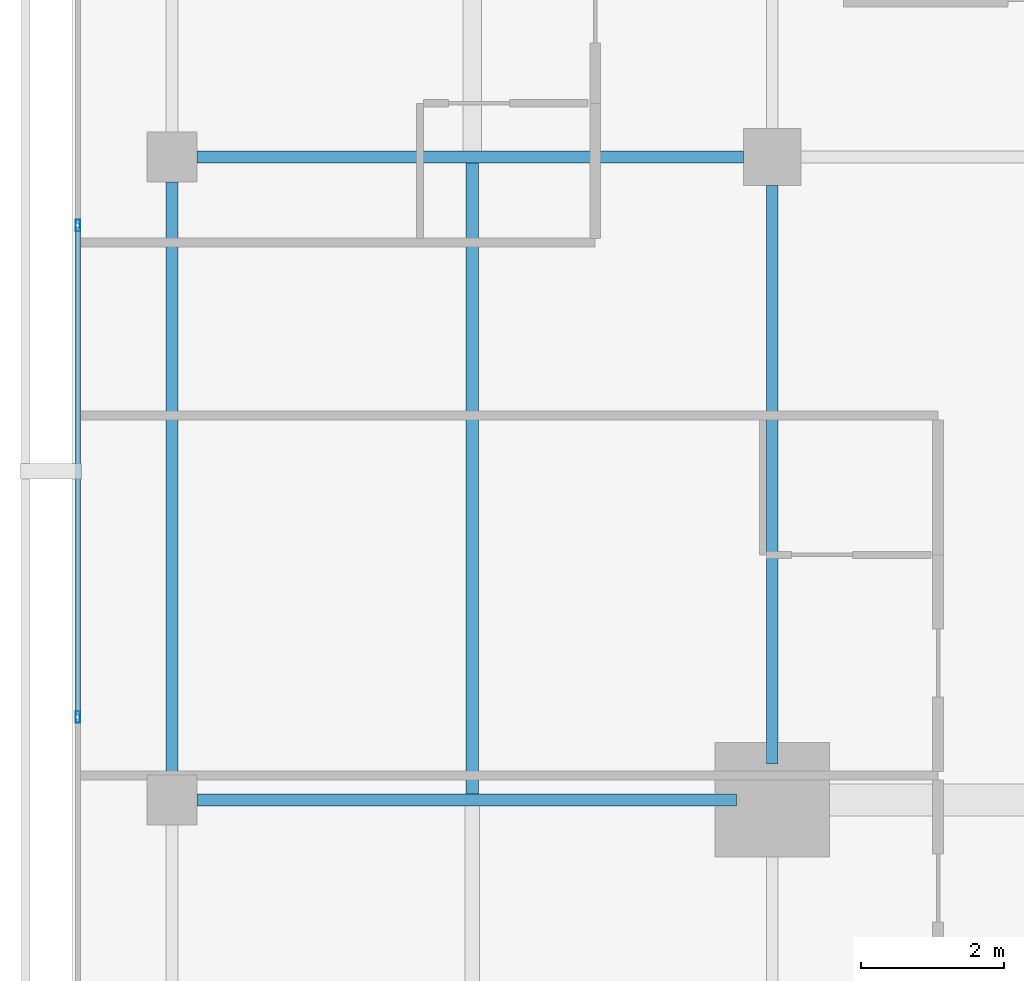
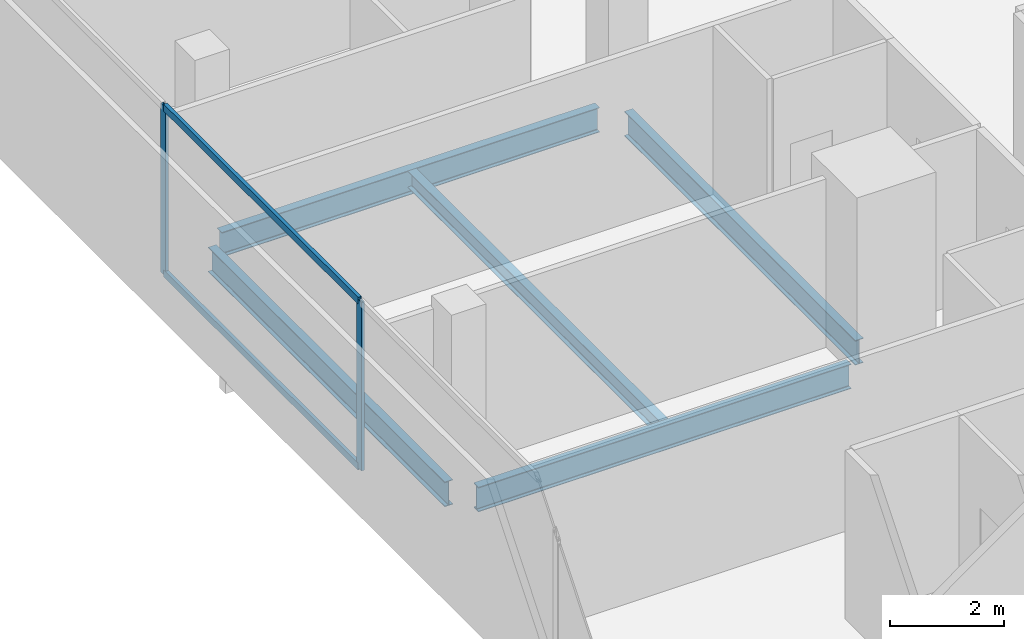
# One storey, part 8 of 26: 5 beams, 4 members, 1 element without a shape of its own.
"""IFC4 building model written with IfcOpenShell, lengths in metres."""

from ifc_helpers import new_model, si_unit, direction, frame, origin, origin_2d, place, context, subcontext, project, spatial, hollow_rectangle, i_section, extrude, material, layer, layer_set, material_profile, profile_set, type_object, element, aggregate, save


model = new_model("IFC4")

# Units and contexts
model_context = context("Model", 3, precision=1e-05, world=origin(), true_north=direction((0.0, 1.0)))
body_context = subcontext(model_context, "Body", "Model", "MODEL_VIEW")
ifc_project = project(units=[si_unit("LENGTHUNIT", "METRE"), si_unit("AREAUNIT", "SQUARE_METRE"), si_unit("VOLUMEUNIT", "CUBIC_METRE"), si_unit("PLANEANGLEUNIT", "RADIAN"), si_unit("MASSUNIT", "GRAM", prefix="KILO")], contexts=[model_context])

# Site, building, storey
site_placement = place(None, origin())
site = spatial("IfcSite", under=ifc_project, at=site_placement, CompositionType="ELEMENT")
building_placement = place(site_placement, origin())
building = spatial("IfcBuilding", under=site, at=building_placement, Name="Maruvema Waterfront Hotel and Observation Tower", CompositionType="ELEMENT")
storey_placement = place(building_placement, frame((0.0, 0.0, 285.60009765625)))
storey = spatial("IfcBuildingStorey", under=building, at=storey_placement, Name="L70", CompositionType="ELEMENT", Elevation=285.60009765625)

# Curtain wall, members
ifc_material_1 = material(Name="Anodised bronze aluminium and solar-control low-E IGU", Category="aluminium")
ifc_layer = layer(ifc_material_1, 0.159912109375, Name="Zone 3 Champagne Inner Thermal Curtain Wall System CW-04")
ifc_layer_set = layer_set([ifc_layer], Name="Anodised bronze aluminium and solar-control low-E IGU")
curtain_wall_type = type_object("IfcCurtainWallType", Name="Zone 3 Champagne Inner Thermal Curtain Wall System CW-04", PredefinedType="USERDEFINED", material=ifc_layer_set)
curtain_wall_placement = place(storey_placement, origin())
curtain_wall = element("IfcCurtainWall", 1, at=curtain_wall_placement, inside=storey, type_object=curtain_wall_type, Name="L70 Curtain Wall CW-L70-W", ObjectType="UNITISED CURTAIN WALL", PredefinedType="USERDEFINED")
ifc_material_2 = material(Name="Anodised architectural bronze aluminium", Category="aluminium")
ifc_material_profile_1 = material_profile(ifc_material_2, hollow_rectangle(XDim=0.070068359375, YDim=0.14990234375, WallThickness=0.00390625, at=origin_2d()), Name="ALU-T70x150")
ifc_profile_set_1 = profile_set([ifc_material_profile_1], Name="Anodised architectural bronze aluminium")
member_type_1 = type_object("IfcMemberType", Name="Curtain Wall Horizontal Transom ALU-T70x150", PredefinedType="USERDEFINED", material=ifc_profile_set_1)
member_1_placement = place(storey_placement, frame((15.47998046875, 35.010009765625, 0.02978515625), z_axis=(0.0, -1.0, 0.0), x_axis=(1.0, 0.0, 0.0)))
member_1 = element("IfcMember", 2, at=member_1_placement, type_object=member_type_1, Name="CW-04 transom 3.1", ObjectType="TRANSOM", PredefinedType="USERDEFINED", context=body_context, shape_type="SweptSolid", body=[
    extrude(hollow_rectangle(XDim=0.070068359375, YDim=0.14990234375, WallThickness=0.00390625, at=origin_2d()), origin(), (0.0, 0.0, 1.0), 6.820068359375),
])
member_2_placement = place(storey_placement, frame((15.47998046875, 35.010009765625, 3.579833984375), z_axis=(0.0, -1.0, 0.0), x_axis=(1.0, 0.0, 0.0)))
member_2 = element("IfcMember", 3, at=member_2_placement, type_object=member_type_1, Name="CW-04 transom 3.2", ObjectType="TRANSOM", PredefinedType="USERDEFINED", context=body_context, shape_type="SweptSolid", body=[
    extrude(hollow_rectangle(XDim=0.070068359375, YDim=0.14990234375, WallThickness=0.00390625, at=origin_2d()), origin(), (0.0, 0.0, 1.0), 6.820068359375),
])
ifc_material_3 = material(Name="Anodised architectural bronze aluminium", Category="aluminium")
ifc_material_profile_2 = material_profile(ifc_material_3, hollow_rectangle(XDim=0.06494140625, YDim=0.1650390625, WallThickness=0.00390625, at=origin_2d()), Name="ALU-M65x165")
ifc_profile_set_2 = profile_set([ifc_material_profile_2], Name="Anodised architectural bronze aluminium")
member_type_2 = type_object("IfcMemberType", Name="Curtain Wall Primary Mullion ALU-M65x165", PredefinedType="MULLION", material=ifc_profile_set_2)
member_3_placement = place(storey_placement, frame((15.47998046875, 35.0400390625, 0.0), z_axis=(0.0, 0.0, 1.0), x_axis=(1.0, 0.0, 0.0)))
member_3 = element("IfcMember", 4, at=member_3_placement, type_object=member_type_2, Name="CW-04 mullion 3", PredefinedType="MULLION", context=body_context, shape_type="SweptSolid", body=[
    extrude(hollow_rectangle(XDim=0.06494140625, YDim=0.1650390625, WallThickness=0.00390625, at=origin_2d()), origin(), (0.0, 0.0, 1.0), 3.60986328125),
])
member_4_placement = place(storey_placement, frame((15.47998046875, 28.159912109375, 0.0), z_axis=(0.0, 0.0, 1.0), x_axis=(1.0, 0.0, 0.0)))
member_4 = element("IfcMember", 5, at=member_4_placement, type_object=member_type_2, Name="CW-04 mullion 4", PredefinedType="MULLION", context=body_context, shape_type="SweptSolid", body=[
    extrude(hollow_rectangle(XDim=0.06494140625, YDim=0.1650390625, WallThickness=0.00390625, at=origin_2d()), origin(), (0.0, 0.0, 1.0), 3.60986328125),
])
aggregate(curtain_wall, [member_3, member_4, member_1, member_2])

# Beams
ifc_material_4 = material(Name="Steel ASTM A572 Grade 50", Category="steel")
ifc_material_profile_3 = material_profile(ifc_material_4, i_section(OverallWidth=0.166015625, OverallDepth=0.529052734375, WebThickness=0.009765625, FlangeThickness=0.013671875, FilletRadius=0.014892578125, at=origin_2d()), Name="W530x74.0")
ifc_profile_set_3 = profile_set([ifc_material_profile_3], Name="Steel ASTM A572 Grade 50")
beam_type_1 = type_object("IfcBeamType", Name="Primary Floor Girder W530x74.0", PredefinedType="BEAM", material=ifc_profile_set_3)
beam_1_placement = place(storey_placement, frame((17.14990234375, 27.0, -0.504638671875), z_axis=(1.0, 0.0, 0.0), x_axis=(0.0, 1.0, 0.0)))
element("IfcBeam", 6, at=beam_1_placement, inside=storey, type_object=beam_type_1, Name="L70 Floor Girder EW-09", PredefinedType="BEAM", context=body_context, shape_type="SweptSolid", body=[
    extrude(i_section(OverallWidth=0.166015625, OverallDepth=0.529052734375, WebThickness=0.009765625, FlangeThickness=0.013671875, FilletRadius=0.014892578125, at=origin_2d()), origin(), (0.0, 0.0, 1.0), 7.550048828125),
])
beam_2_placement = place(storey_placement, frame((17.14990234375, 36.0, -0.504638671875), z_axis=(1.0, 0.0, 0.0), x_axis=(0.0, 1.0, 0.0)))
element("IfcBeam", 7, at=beam_2_placement, inside=storey, type_object=beam_type_1, Name="L70 Floor Girder EW-12", PredefinedType="BEAM", context=body_context, shape_type="SweptSolid", body=[
    extrude(i_section(OverallWidth=0.166015625, OverallDepth=0.529052734375, WebThickness=0.009765625, FlangeThickness=0.013671875, FilletRadius=0.014892578125, at=origin_2d()), origin(), (0.0, 0.0, 1.0), 7.650146484375),
])
beam_3_placement = place(storey_placement, frame((16.800048828125, 27.35009765625, -0.504638671875), z_axis=(0.0, 1.0, 0.0), x_axis=(-1.0, 0.0, 0.0)))
element("IfcBeam", 8, at=beam_3_placement, inside=storey, type_object=beam_type_1, Name="L70 Floor Girder NS-02", PredefinedType="BEAM", context=body_context, shape_type="SweptSolid", body=[
    extrude(i_section(OverallWidth=0.166015625, OverallDepth=0.529052734375, WebThickness=0.009765625, FlangeThickness=0.013671875, FilletRadius=0.014892578125, at=origin_2d()), origin(), (0.0, 0.0, 1.0), 8.2998046875),
])
beam_4_placement = place(storey_placement, frame((25.199951171875, 27.5, -0.504638671875), z_axis=(0.0, 1.0, 0.0), x_axis=(-1.0, 0.0, 0.0)))
element("IfcBeam", 9, at=beam_4_placement, inside=storey, type_object=beam_type_1, Name="L70 Floor Girder NS-06", PredefinedType="BEAM", context=body_context, shape_type="SweptSolid", body=[
    extrude(i_section(OverallWidth=0.166015625, OverallDepth=0.529052734375, WebThickness=0.009765625, FlangeThickness=0.013671875, FilletRadius=0.014892578125, at=origin_2d()), origin(), (0.0, 0.0, 1.0), 8.10009765625),
])
ifc_material_5 = material(Name="Steel ASTM A572 Grade 50", Category="steel")
ifc_material_profile_4 = material_profile(ifc_material_5, i_section(OverallWidth=0.1708984375, OverallDepth=0.35498046875, WebThickness=0.007080078125, FlangeThickness=0.01171875, FilletRadius=0.014892578125, at=origin_2d()), Name="W360x51.0")
ifc_profile_set_4 = profile_set([ifc_material_profile_4], Name="Steel ASTM A572 Grade 50")
beam_type_2 = type_object("IfcBeamType", Name="Secondary Floor Joist W360x51.0", PredefinedType="JOIST", material=ifc_profile_set_4)
beam_5_placement = place(storey_placement, frame((21.0, 27.0830078125, -0.41748046875), z_axis=(0.0, 1.0, 0.0), x_axis=(-1.0, 0.0, 0.0)))
element("IfcBeam", 10, at=beam_5_placement, inside=storey, type_object=beam_type_2, Name="L70 Secondary Floor Joist JS-02", PredefinedType="JOIST", context=body_context, shape_type="SweptSolid", body=[
    extrude(i_section(OverallWidth=0.1708984375, OverallDepth=0.35498046875, WebThickness=0.007080078125, FlangeThickness=0.01171875, FilletRadius=0.014892578125, at=origin_2d()), origin(), (0.0, 0.0, 1.0), 8.833984375),
])

save(model, "model.ifc")
